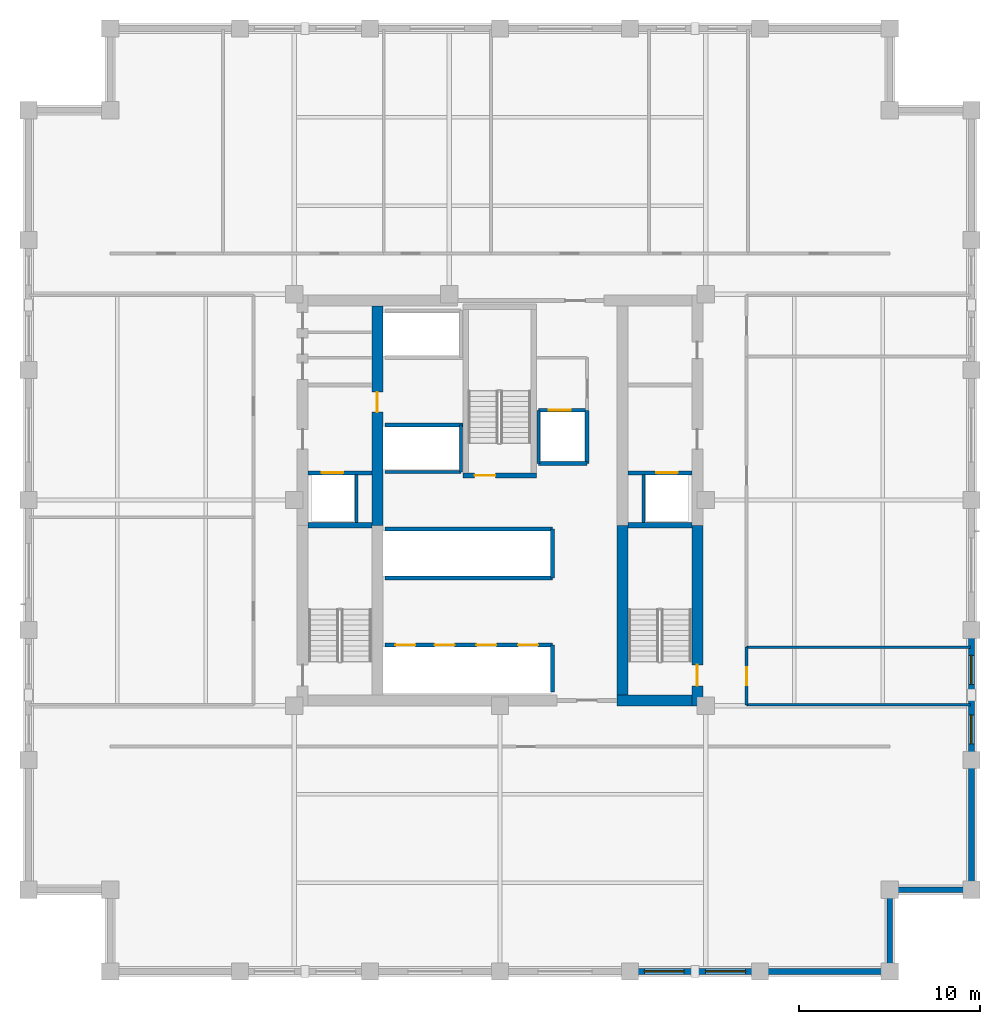
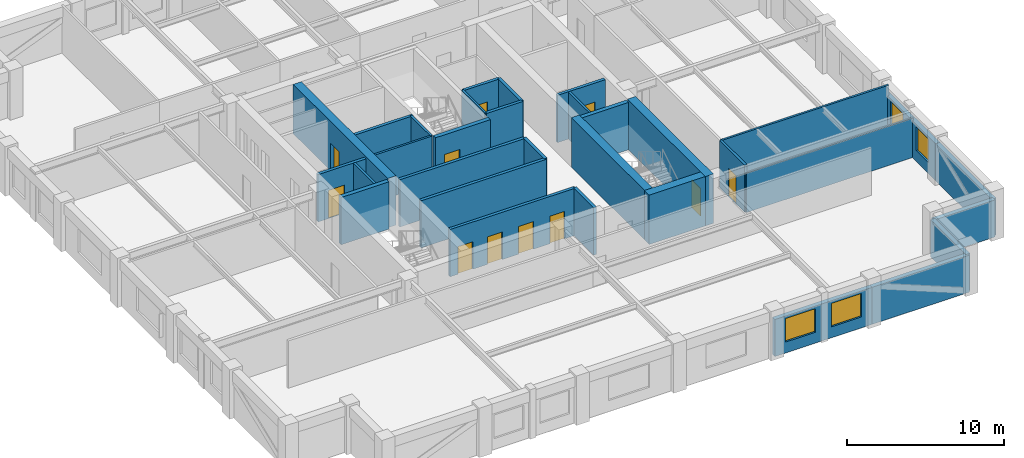
# One storey, part 6 of 9: 32 walls, 11 doors, 4 windows, 15 openings.
"""IFC4 building model written with IfcOpenShell, lengths in metres."""

from ifc_helpers import new_model, si_unit, direction, frame, frame_2d, origin, place, context, subcontext, project, spatial, rectangle, extrude, material, layer, layer_set, type_object, element, fill, save


model = new_model("IFC4")

# Units and contexts
model_context = context("Model", 3, precision=1e-05, world=origin(), true_north=direction((0.0, 1.0)))
body_context = subcontext(model_context, "Body", "Model", "MODEL_VIEW")
ifc_project = project(units=[si_unit("LENGTHUNIT", "METRE"), si_unit("AREAUNIT", "SQUARE_METRE"), si_unit("VOLUMEUNIT", "CUBIC_METRE"), si_unit("PLANEANGLEUNIT", "RADIAN"), si_unit("MASSUNIT", "GRAM", prefix="KILO")], contexts=[model_context])

# Site, building, storey
site_placement = place(None, origin())
site = spatial("IfcSite", under=ifc_project, at=site_placement, CompositionType="ELEMENT")
building_placement = place(site_placement, origin())
building = spatial("IfcBuilding", under=site, at=building_placement, Name="Nhamokura Convention Tower", CompositionType="ELEMENT")
storey_placement = place(building_placement, frame((0.0, 0.0, 118.300048828125)))
storey = spatial("IfcBuildingStorey", under=building, at=storey_placement, Name="L28", CompositionType="ELEMENT", Elevation=118.300048828125)

# Wall, openings, windows
ifc_material_1 = material(Name="Bronze-pigmented precast concrete C45/55", Category="concrete")
ifc_layer_1 = layer(ifc_material_1, 0.320068359375)
ifc_layer_set_1 = layer_set([ifc_layer_1], Name="BronzePrecastSpandrel_320")
wall_type_1 = type_object("IfcWallType", Name="BronzePrecastSpandrel_320", PredefinedType="USERDEFINED", material=ifc_layer_set_1)
wall_1_placement = place(storey_placement, frame((46.333251953125, 6.0, 0.0), z_axis=(0.0, 0.0, 1.0), x_axis=(-1.0, 0.0, 0.0)))
wall_1 = element("IfcWall", 1, at=wall_1_placement, inside=storey, type_object=wall_type_1, Name="L28 Masonry-Frame Wall SOUTH 4", ObjectType="SPANDREL_WALL", PredefinedType="USERDEFINED", context=body_context, shape_type="SweptSolid", body=[
    extrude(rectangle(XDim=7.16650390625, YDim=0.320068359375, at=frame_2d((3.583251953125, 0.0))), origin(), (0.0, 0.0, 1.0), 2.885009765625),
])
opening_1_placement = place(wall_1_placement, frame((0.791748046875, 0.0, 0.85009765625)))
opening_1 = element("IfcOpeningElement", 2, at=opening_1_placement, cuts=wall_1, Name="Opening W-06", PredefinedType="OPENING", context=body_context, shape_type="SweptSolid", body=[
    extrude(rectangle(XDim=2.199951171875, YDim=1.8349609375, at=frame_2d((1.10009765625, 0.91748046875))), frame((0.0, 0.169921875, 0.0), z_axis=(0.0, -1.0, 0.0), x_axis=(1.0, 0.0, 0.0)), (0.0, 0.0, 1.0), 0.340087890625),
])
opening_2_placement = place(wall_1_placement, frame((4.175048828125, 0.0, 0.85009765625)))
opening_2 = element("IfcOpeningElement", 3, at=opening_2_placement, cuts=wall_1, Name="Opening W-06", PredefinedType="OPENING", context=body_context, shape_type="SweptSolid", body=[
    extrude(rectangle(XDim=2.199951171875, YDim=1.8349609375, at=frame_2d((1.10009765625, 0.91748046875))), frame((0.0, 0.169921875, 0.0), z_axis=(0.0, -1.0, 0.0), x_axis=(1.0, 0.0, 0.0)), (0.0, 0.0, 1.0), 0.340087890625),
])
ifc_material_2 = material(Name="Solar-control bronze low-E double glass", Category="glass")
window_type_1 = type_object("IfcWindowType", Name="OfficeModuleWindow_Z2_2200", PartitioningType="SINGLE_PANEL", PredefinedType="WINDOW", material=ifc_material_2)
window_1_placement = place(opening_1_placement, origin())
window_1 = element("IfcWindow", 4, at=window_1_placement, inside=storey, type_object=window_type_1, Name="L28 Facade Window SOUTH 4-1", OverallHeight=1.8349609375, OverallWidth=2.199951171875, PartitioningType="SINGLE_PANEL", PredefinedType="WINDOW", context=body_context, shape_type="SweptSolid", body=[
    extrude(rectangle(XDim=2.199951171875, YDim=1.8349609375, at=frame_2d((1.10009765625, 0.91748046875))), frame((0.0, 0.030029296875, 0.0), z_axis=(0.0, -1.0, 0.0), x_axis=(1.0, 0.0, 0.0)), (0.0, 0.0, 1.0), 0.06005859375),
])
fill(opening_1, window_1)
window_2_placement = place(opening_2_placement, origin())
window_2 = element("IfcWindow", 5, at=window_2_placement, inside=storey, type_object=window_type_1, Name="L28 Facade Window SOUTH 4-2", OverallHeight=1.8349609375, OverallWidth=2.199951171875, PartitioningType="SINGLE_PANEL", PredefinedType="WINDOW", context=body_context, shape_type="SweptSolid", body=[
    extrude(rectangle(XDim=2.199951171875, YDim=1.8349609375, at=frame_2d((1.10009765625, 0.91748046875))), frame((0.0, 0.030029296875, 0.0), z_axis=(0.0, -1.0, 0.0), x_axis=(1.0, 0.0, 0.0)), (0.0, 0.0, 1.0), 0.06005859375),
])
fill(opening_2, window_2)

# Walls
for number, where, z_axis, x_axis, name in (
    (6, (53.5, 6.0, 0.0), (0.0, 0.0, 1.0), (-1.0, 0.0, 0.0), "L28 Braced-Bay Precast Wall SOUTH 5"),
    (7, (58.0, 17.666748046875, 0.0), (0.0, 0.0, 1.0), (0.0, -1.0, 0.0), "L28 Braced-Bay Precast Wall EAST 0"),
):
    element("IfcWall", number, at=place(storey_placement, frame(where, z_axis=z_axis, x_axis=x_axis)), inside=storey, type_object=wall_type_1, Name=name, ObjectType="SPANDREL_WALL", PredefinedType="USERDEFINED", context=body_context, shape_type="SweptSolid", body=[
        extrude(rectangle(XDim=7.166748046875, YDim=0.320068359375, at=frame_2d((3.58349609375, 0.0))), origin(), (0.0, 0.0, 1.0), 2.885009765625),
    ])

# Wall, openings, windows
wall_2_placement = place(storey_placement, frame((58.0, 24.833251953125, 0.0), z_axis=(0.0, 0.0, 1.0), x_axis=(0.0, -1.0, 0.0)))
wall_2 = element("IfcWall", 8, at=wall_2_placement, inside=storey, type_object=wall_type_1, Name="L28 Masonry-Frame Wall EAST 1", ObjectType="SPANDREL_WALL", PredefinedType="USERDEFINED", context=body_context, shape_type="SweptSolid", body=[
    extrude(rectangle(XDim=7.16650390625, YDim=0.320068359375, at=frame_2d((3.583251953125, 0.0))), origin(), (0.0, 0.0, 1.0), 2.885009765625),
])
opening_3_placement = place(wall_2_placement, frame((1.404296875, 0.0, 0.85009765625)))
opening_3 = element("IfcOpeningElement", 9, at=opening_3_placement, cuts=wall_2, Name="Opening W-11", PredefinedType="OPENING", context=body_context, shape_type="SweptSolid", body=[
    extrude(rectangle(XDim=1.60009765625, YDim=1.8349609375, at=frame_2d((0.800048828125, 0.91748046875))), frame((0.0, 0.169921875, 0.0), z_axis=(0.0, -1.0, 0.0), x_axis=(1.0, 0.0, 0.0)), (0.0, 0.0, 1.0), 0.340087890625),
])
opening_4_placement = place(wall_2_placement, frame((4.6875, 0.0, 0.85009765625)))
opening_4 = element("IfcOpeningElement", 10, at=opening_4_placement, cuts=wall_2, Name="Opening W-11", PredefinedType="OPENING", context=body_context, shape_type="SweptSolid", body=[
    extrude(rectangle(XDim=1.60009765625, YDim=1.8349609375, at=frame_2d((0.800048828125, 0.91748046875))), frame((0.0, 0.169921875, 0.0), z_axis=(0.0, -1.0, 0.0), x_axis=(1.0, 0.0, 0.0)), (0.0, 0.0, 1.0), 0.340087890625),
])
ifc_material_3 = material(Name="Solar-control bronze low-E double glass", Category="glass")
window_type_2 = type_object("IfcWindowType", Name="NotchCornerWindow_1600", PartitioningType="SINGLE_PANEL", PredefinedType="WINDOW", material=ifc_material_3)
window_3_placement = place(opening_3_placement, origin())
window_3 = element("IfcWindow", 11, at=window_3_placement, inside=storey, type_object=window_type_2, Name="L28 Facade Window EAST 1-1", OverallHeight=1.8349609375, OverallWidth=1.60009765625, PartitioningType="SINGLE_PANEL", PredefinedType="WINDOW", context=body_context, shape_type="SweptSolid", body=[
    extrude(rectangle(XDim=1.60009765625, YDim=1.8349609375, at=frame_2d((0.800048828125, 0.91748046875))), frame((0.0, 0.030029296875, 0.0), z_axis=(0.0, -1.0, 0.0), x_axis=(1.0, 0.0, 0.0)), (0.0, 0.0, 1.0), 0.06005859375),
])
fill(opening_3, window_3)
window_4_placement = place(opening_4_placement, origin())
window_4 = element("IfcWindow", 12, at=window_4_placement, inside=storey, type_object=window_type_2, Name="L28 Facade Window EAST 1-2", OverallHeight=1.8349609375, OverallWidth=1.60009765625, PartitioningType="SINGLE_PANEL", PredefinedType="WINDOW", context=body_context, shape_type="SweptSolid", body=[
    extrude(rectangle(XDim=1.60009765625, YDim=1.8349609375, at=frame_2d((0.800048828125, 0.91748046875))), frame((0.0, 0.030029296875, 0.0), z_axis=(0.0, -1.0, 0.0), x_axis=(1.0, 0.0, 0.0)), (0.0, 0.0, 1.0), 0.06005859375),
])
fill(opening_4, window_4)

# Walls
for number, where, z_axis, x_axis, name in (
    (13, (53.5, 10.5, 0.0), (0.0, 0.0, 1.0), (0.0, -1.0, 0.0), "L28 Notched Corner Wall SE1"),
    (14, (58.0, 10.5, 0.0), (0.0, 0.0, 1.0), (-1.0, 0.0, 0.0), "L28 Notched Corner Wall SE2"),
):
    element("IfcWall", number, at=place(storey_placement, frame(where, z_axis=z_axis, x_axis=x_axis)), inside=storey, type_object=wall_type_1, Name=name, ObjectType="SPANDREL_WALL", PredefinedType="USERDEFINED", context=body_context, shape_type="SweptSolid", body=[
        extrude(rectangle(XDim=4.5, YDim=0.320068359375, at=frame_2d((2.25, 0.0))), origin(), (0.0, 0.0, 1.0), 2.885009765625),
    ])

# Wall, opening, door
ifc_material_4 = material(Name="Concrete C60/75", Category="concrete")
ifc_layer_2 = layer(ifc_material_4, 0.60009765625)
ifc_layer_set_2 = layer_set([ifc_layer_2], Name="CoreShearWall_600")
wall_type_2 = type_object("IfcWallType", Name="CoreShearWall_600", PredefinedType="SHEAR", material=ifc_layer_set_2)
wall_3_placement = place(storey_placement, frame((42.889892578125, 20.64990234375, 0.0), z_axis=(0.0, 0.0, 1.0), x_axis=(0.0, 1.0, 0.0)))
wall_3 = element("IfcWall", 15, at=wall_3_placement, inside=storey, type_object=wall_type_2, Name="L28 Core Shear Wall CW-ES", PredefinedType="SHEAR", context=body_context, shape_type="SweptSolid", body=[
    extrude(rectangle(XDim=9.9501953125, YDim=0.60009765625, at=frame_2d((4.97509765625, 0.0))), origin(), (0.0, 0.0, 1.0), 3.849853515625),
])
opening_5_placement = place(wall_3_placement, frame((1.10009765625, 0.0, 0.0)))
opening_5 = element("IfcOpeningElement", 16, at=opening_5_placement, cuts=wall_3, Name="Opening D-04", PredefinedType="OPENING", context=body_context, shape_type="SweptSolid", body=[
    extrude(rectangle(XDim=1.14990234375, YDim=2.14990234375, at=frame_2d((0.574951171875, 1.074951171875))), frame((0.0, 0.31005859375, 0.0), z_axis=(0.0, -1.0, 0.0), x_axis=(1.0, 0.0, 0.0)), (0.0, 0.0, 1.0), 0.6201171875),
])
ifc_material_5 = material(Name="Fire-rated steel door", Category="steel")
door_type_1 = type_object("IfcDoorType", Name="StairSmokeDoor_1150", OperationType="NOTDEFINED", PredefinedType="DOOR", material=ifc_material_5)
door_1_placement = place(opening_5_placement, origin())
door_1 = element("IfcDoor", 17, at=door_1_placement, inside=storey, type_object=door_type_1, Name="L28 Core Door INT-L28-D-ST02", OperationType="SINGLE_SWING_RIGHT", OverallHeight=2.14990234375, OverallWidth=1.14990234375, PredefinedType="DOOR", context=body_context, shape_type="SweptSolid", body=[
    extrude(rectangle(XDim=1.14990234375, YDim=2.14990234375, at=frame_2d((0.574951171875, 1.074951171875))), frame((0.0, 0.02490234375, 0.0), z_axis=(0.0, -1.0, 0.0), x_axis=(1.0, 0.0, 0.0)), (0.0, 0.0, 1.0), 0.050048828125),
])
fill(opening_5, door_1)

# Wall
wall_4_placement = place(storey_placement, frame((38.449951171875, 20.949951171875, 0.0), z_axis=(0.0, 0.0, 1.0), x_axis=(1.0, 0.0, 0.0)))
element("IfcWall", 18, at=wall_4_placement, inside=storey, type_object=wall_type_2, Name="L28 Core Shear Wall CW-S2", PredefinedType="SHEAR", context=body_context, shape_type="SweptSolid", body=[
    extrude(rectangle(XDim=4.14013671875, YDim=0.60009765625, at=frame_2d((2.070068359375, 0.0))), origin(), (0.0, 0.0, 1.0), 3.849853515625),
])

# Wall, opening, door
wall_5_placement = place(storey_placement, frame((25.239990234375, 30.60009765625, 0.0), z_axis=(0.0, 0.0, 1.0), x_axis=(0.0, 1.0, 0.0)))
wall_5 = element("IfcWall", 19, at=wall_5_placement, inside=storey, type_object=wall_type_2, Name="L28 Core Shear Wall CW-IWN", PredefinedType="SHEAR", context=body_context, shape_type="SweptSolid", body=[
    extrude(rectangle(XDim=12.099853515625, YDim=0.60009765625, at=frame_2d((6.0498046875, 0.0))), origin(), (0.0, 0.0, 1.0), 3.849853515625),
])
opening_6_placement = place(wall_5_placement, frame((6.25, 0.0, 0.0)))
opening_6 = element("IfcOpeningElement", 20, at=opening_6_placement, cuts=wall_5, Name="Opening D-05", PredefinedType="OPENING", context=body_context, shape_type="SweptSolid", body=[
    extrude(rectangle(XDim=1.10009765625, YDim=2.14990234375, at=frame_2d((0.550048828125, 1.074951171875))), frame((0.0, 0.31005859375, 0.0), z_axis=(0.0, -1.0, 0.0), x_axis=(1.0, 0.0, 0.0)), (0.0, 0.0, 1.0), 0.6201171875),
])
ifc_material_6 = material(Name="Fire-rated steel door", Category="steel")
door_type_2 = type_object("IfcDoorType", Name="FireLobbyDoor_1100", OperationType="NOTDEFINED", PredefinedType="DOOR", material=ifc_material_6)
door_2_placement = place(opening_6_placement, origin())
door_2 = element("IfcDoor", 21, at=door_2_placement, inside=storey, type_object=door_type_2, Name="L28 Core Door INT-L28-D-B3LOB", OperationType="SINGLE_SWING_LEFT", OverallHeight=2.14990234375, OverallWidth=1.10009765625, PredefinedType="DOOR", context=body_context, shape_type="SweptSolid", body=[
    extrude(rectangle(XDim=1.10009765625, YDim=2.14990234375, at=frame_2d((0.550048828125, 1.074951171875))), frame((0.0, 0.02490234375, 0.0), z_axis=(0.0, -1.0, 0.0), x_axis=(1.0, 0.0, 0.0)), (0.0, 0.0, 1.0), 0.050048828125),
])
fill(opening_6, door_2)

# Wall
wall_6_placement = place(storey_placement, frame((38.760009765625, 21.25, 0.0), z_axis=(0.0, 0.0, 1.0), x_axis=(0.0, 1.0, 0.0)))
element("IfcWall", 22, at=wall_6_placement, inside=storey, type_object=wall_type_2, Name="L28 Core Shear Wall CW-IES", PredefinedType="SHEAR", context=body_context, shape_type="SweptSolid", body=[
    extrude(rectangle(XDim=9.35009765625, YDim=0.60009765625, at=frame_2d((4.675048828125, 0.0))), origin(), (0.0, 0.0, 1.0), 3.849853515625),
])

# Wall, opening, door
ifc_material_7 = material(Name="Fire-rated gypsum and masonry partition", Category="masonry")
ifc_layer_3 = layer(ifc_material_7, 0.179931640625)
ifc_layer_set_3 = layer_set([ifc_layer_3], Name="CorridorRatedWall_180")
wall_type_3 = type_object("IfcWallType", Name="CorridorRatedWall_180", PredefinedType="STANDARD", material=ifc_layer_set_3)
wall_7_placement = place(storey_placement, frame((45.60009765625, 20.699951171875, 0.0), z_axis=(0.0, 0.0, 1.0), x_axis=(0.0, 1.0, 0.0)))
wall_7 = element("IfcWall", 23, at=wall_7_placement, inside=storey, type_object=wall_type_3, Name="L28 Wall INT-L28-CW-E00", PredefinedType="STANDARD", context=body_context, shape_type="SweptSolid", body=[
    extrude(rectangle(XDim=3.183349609375, YDim=0.179931640625, at=frame_2d((1.591796875, 0.0))), origin(), (0.0, 0.0, 1.0), 3.68505859375),
])
opening_7_placement = place(wall_7_placement, frame((1.091552734375, 0.0, 0.0)))
opening_7 = element("IfcOpeningElement", 24, at=opening_7_placement, cuts=wall_7, Name="Opening D-08", PredefinedType="OPENING", context=body_context, shape_type="SweptSolid", body=[
    extrude(rectangle(XDim=0.97998046875, YDim=2.199951171875, at=frame_2d((0.489990234375, 1.10009765625))), frame((0.0, 0.099853515625, 0.0), z_axis=(0.0, -1.0, 0.0), x_axis=(1.0, 0.0, 0.0)), (0.0, 0.0, 1.0), 0.199951171875),
])
ifc_material_8 = material(Name="Solid oak hardwood", Category="wood")
door_type_3 = type_object("IfcDoorType", Name="OfficeEntryDoor_980", OperationType="NOTDEFINED", PredefinedType="DOOR", material=ifc_material_8)
door_3_placement = place(opening_7_placement, origin())
door_3 = element("IfcDoor", 25, at=door_3_placement, inside=storey, type_object=door_type_3, Name="L28 Archive Store E01 Door", OperationType="SINGLE_SWING_LEFT", OverallHeight=2.199951171875, OverallWidth=0.97998046875, PredefinedType="DOOR", context=body_context, shape_type="SweptSolid", body=[
    extrude(rectangle(XDim=0.97998046875, YDim=2.199951171875, at=frame_2d((0.489990234375, 1.10009765625))), frame((0.0, 0.02490234375, 0.0), z_axis=(0.0, -1.0, 0.0), x_axis=(1.0, 0.0, 0.0)), (0.0, 0.0, 1.0), 0.050048828125),
])
fill(opening_7, door_3)

ifc_material_9 = material(Name="Autoclaved concrete blockwork", Category="masonry")
ifc_layer_4 = layer(ifc_material_9, 0.219970703125)
ifc_layer_set_4 = layer_set([ifc_layer_4], Name="FireLobbyWall_220")
wall_type_4 = type_object("IfcWallType", Name="FireLobbyWall_220", PredefinedType="STANDARD", material=ifc_layer_set_4)
wall_8_placement = place(storey_placement, frame((21.409912109375, 33.5, 0.0), z_axis=(0.0, 0.0, 1.0), x_axis=(1.0, 0.0, 0.0)))
wall_8 = element("IfcWall", 26, at=wall_8_placement, inside=storey, type_object=wall_type_4, Name="L28 Wall INT-L28-FFW-S", PredefinedType="STANDARD", context=body_context, shape_type="SweptSolid", body=[
    extrude(rectangle(XDim=3.530029296875, YDim=0.219970703125, at=frame_2d((1.76513671875, 0.0))), origin(), (0.0, 0.0, 1.0), 3.68505859375),
])
opening_8_placement = place(wall_8_placement, frame((0.75, 0.0, 0.0)))
opening_8 = element("IfcOpeningElement", 27, at=opening_8_placement, cuts=wall_8, Name="Opening LD-02", PredefinedType="OPENING", context=body_context, shape_type="SweptSolid", body=[
    extrude(rectangle(XDim=1.199951171875, YDim=2.199951171875, at=frame_2d((0.60009765625, 1.10009765625))), frame((0.0, 0.119873046875, 0.0), z_axis=(0.0, -1.0, 0.0), x_axis=(1.0, 0.0, 0.0)), (0.0, 0.0, 1.0), 0.239990234375),
])
ifc_material_10 = material(Name="Anodised bronze stainless steel", Category="steel")
door_type_4 = type_object("IfcDoorType", Name="LiftLandingDoor_FireService", OperationType="DOUBLE_DOOR_SLIDING", PredefinedType="DOOR", material=ifc_material_10)
door_4_placement = place(opening_8_placement, origin())
door_4 = element("IfcDoor", 28, at=door_4_placement, inside=storey, type_object=door_type_4, Name="L28 Firefighting Lift LF-01 Door", OperationType="DOUBLE_DOOR_SLIDING", OverallHeight=2.199951171875, OverallWidth=1.199951171875, PredefinedType="DOOR", context=body_context, shape_type="SweptSolid", body=[
    extrude(rectangle(XDim=1.199951171875, YDim=2.199951171875, at=frame_2d((0.60009765625, 1.10009765625))), frame((0.0, 0.02490234375, 0.0), z_axis=(0.0, -1.0, 0.0), x_axis=(1.0, 0.0, 0.0)), (0.0, 0.0, 1.0), 0.050048828125),
])
fill(opening_8, door_4)

wall_9_placement = place(storey_placement, frame((39.06005859375, 33.5, 0.0), z_axis=(0.0, 0.0, 1.0), x_axis=(1.0, 0.0, 0.0)))
wall_9 = element("IfcWall", 29, at=wall_9_placement, inside=storey, type_object=wall_type_4, Name="L28 Wall INT-L28-FFE-S", PredefinedType="STANDARD", context=body_context, shape_type="SweptSolid", body=[
    extrude(rectangle(XDim=3.530029296875, YDim=0.219970703125, at=frame_2d((1.76513671875, 0.0))), origin(), (0.0, 0.0, 1.0), 3.68505859375),
])
opening_9_placement = place(wall_9_placement, frame((1.550048828125, 0.0, 0.0)))
opening_9 = element("IfcOpeningElement", 30, at=opening_9_placement, cuts=wall_9, Name="Opening LD-02", PredefinedType="OPENING", context=body_context, shape_type="SweptSolid", body=[
    extrude(rectangle(XDim=1.199951171875, YDim=2.199951171875, at=frame_2d((0.60009765625, 1.10009765625))), frame((0.0, 0.119873046875, 0.0), z_axis=(0.0, -1.0, 0.0), x_axis=(1.0, 0.0, 0.0)), (0.0, 0.0, 1.0), 0.239990234375),
])
door_5_placement = place(opening_9_placement, origin())
door_5 = element("IfcDoor", 31, at=door_5_placement, inside=storey, type_object=door_type_4, Name="L28 Firefighting Lift LF-02 Door", OperationType="DOUBLE_DOOR_SLIDING", OverallHeight=2.199951171875, OverallWidth=1.199951171875, PredefinedType="DOOR", context=body_context, shape_type="SweptSolid", body=[
    extrude(rectangle(XDim=1.199951171875, YDim=2.199951171875, at=frame_2d((0.60009765625, 1.10009765625))), frame((0.0, 0.02490234375, 0.0), z_axis=(0.0, -1.0, 0.0), x_axis=(1.0, 0.0, 0.0)), (0.0, 0.0, 1.0), 0.050048828125),
])
fill(opening_9, door_5)

# Wall, openings, doors
wall_10_placement = place(storey_placement, frame((25.64990234375, 24.0, 0.0), z_axis=(0.0, 0.0, 1.0), x_axis=(1.0, 0.0, 0.0)))
wall_10 = element("IfcWall", 32, at=wall_10_placement, inside=storey, type_object=wall_type_4, Name="L28 Wall INT-L28-B1N", PredefinedType="STANDARD", context=body_context, shape_type="SweptSolid", body=[
    extrude(rectangle(XDim=9.25, YDim=0.219970703125, at=frame_2d((4.625, 0.0))), origin(), (0.0, 0.0, 1.0), 3.68505859375),
])
opening_10_placement = place(wall_10_placement, frame((0.580078125, 0.0, 0.0)))
opening_10 = element("IfcOpeningElement", 33, at=opening_10_placement, cuts=wall_10, Name="Opening LD-01", PredefinedType="OPENING", context=body_context, shape_type="SweptSolid", body=[
    extrude(rectangle(XDim=1.10009765625, YDim=2.14990234375, at=frame_2d((0.550048828125, 1.074951171875))), frame((0.0, 0.119873046875, 0.0), z_axis=(0.0, -1.0, 0.0), x_axis=(1.0, 0.0, 0.0)), (0.0, 0.0, 1.0), 0.239990234375),
])
opening_11_placement = place(wall_10_placement, frame((2.75, 0.0, 0.0)))
opening_11 = element("IfcOpeningElement", 34, at=opening_11_placement, cuts=wall_10, Name="Opening LD-01", PredefinedType="OPENING", context=body_context, shape_type="SweptSolid", body=[
    extrude(rectangle(XDim=1.10009765625, YDim=2.14990234375, at=frame_2d((0.550048828125, 1.074951171875))), frame((0.0, 0.119873046875, 0.0), z_axis=(0.0, -1.0, 0.0), x_axis=(1.0, 0.0, 0.0)), (0.0, 0.0, 1.0), 0.239990234375),
])
opening_12_placement = place(wall_10_placement, frame((5.050048828125, 0.0, 0.0)))
opening_12 = element("IfcOpeningElement", 35, at=opening_12_placement, cuts=wall_10, Name="Opening LD-01", PredefinedType="OPENING", context=body_context, shape_type="SweptSolid", body=[
    extrude(rectangle(XDim=1.10009765625, YDim=2.14990234375, at=frame_2d((0.550048828125, 1.074951171875))), frame((0.0, 0.119873046875, 0.0), z_axis=(0.0, -1.0, 0.0), x_axis=(1.0, 0.0, 0.0)), (0.0, 0.0, 1.0), 0.239990234375),
])
opening_13_placement = place(wall_10_placement, frame((7.35009765625, 0.0, 0.0)))
opening_13 = element("IfcOpeningElement", 36, at=opening_13_placement, cuts=wall_10, Name="Opening LD-01", PredefinedType="OPENING", context=body_context, shape_type="SweptSolid", body=[
    extrude(rectangle(XDim=1.10009765625, YDim=2.14990234375, at=frame_2d((0.550048828125, 1.074951171875))), frame((0.0, 0.119873046875, 0.0), z_axis=(0.0, -1.0, 0.0), x_axis=(1.0, 0.0, 0.0)), (0.0, 0.0, 1.0), 0.239990234375),
])
ifc_material_11 = material(Name="Anodised bronze stainless steel", Category="steel")
door_type_5 = type_object("IfcDoorType", Name="LiftLandingDoor_Passenger", OperationType="DOUBLE_DOOR_SLIDING", PredefinedType="DOOR", material=ifc_material_11)
door_6_placement = place(opening_10_placement, origin())
door_6 = element("IfcDoor", 37, at=door_6_placement, inside=storey, type_object=door_type_5, Name="L28 Lift LP-01 Landing Door", OperationType="DOUBLE_DOOR_SLIDING", OverallHeight=2.14990234375, OverallWidth=1.10009765625, PredefinedType="DOOR", context=body_context, shape_type="SweptSolid", body=[
    extrude(rectangle(XDim=1.10009765625, YDim=2.14990234375, at=frame_2d((0.550048828125, 1.074951171875))), frame((0.0, 0.02490234375, 0.0), z_axis=(0.0, -1.0, 0.0), x_axis=(1.0, 0.0, 0.0)), (0.0, 0.0, 1.0), 0.050048828125),
])
fill(opening_10, door_6)
door_7_placement = place(opening_11_placement, origin())
door_7 = element("IfcDoor", 38, at=door_7_placement, inside=storey, type_object=door_type_5, Name="L28 Lift LP-02 Landing Door", OperationType="DOUBLE_DOOR_SLIDING", OverallHeight=2.14990234375, OverallWidth=1.10009765625, PredefinedType="DOOR", context=body_context, shape_type="SweptSolid", body=[
    extrude(rectangle(XDim=1.10009765625, YDim=2.14990234375, at=frame_2d((0.550048828125, 1.074951171875))), frame((0.0, 0.02490234375, 0.0), z_axis=(0.0, -1.0, 0.0), x_axis=(1.0, 0.0, 0.0)), (0.0, 0.0, 1.0), 0.050048828125),
])
fill(opening_11, door_7)
door_8_placement = place(opening_12_placement, origin())
door_8 = element("IfcDoor", 39, at=door_8_placement, inside=storey, type_object=door_type_5, Name="L28 Lift LP-03 Landing Door", OperationType="DOUBLE_DOOR_SLIDING", OverallHeight=2.14990234375, OverallWidth=1.10009765625, PredefinedType="DOOR", context=body_context, shape_type="SweptSolid", body=[
    extrude(rectangle(XDim=1.10009765625, YDim=2.14990234375, at=frame_2d((0.550048828125, 1.074951171875))), frame((0.0, 0.02490234375, 0.0), z_axis=(0.0, -1.0, 0.0), x_axis=(1.0, 0.0, 0.0)), (0.0, 0.0, 1.0), 0.050048828125),
])
fill(opening_12, door_8)
door_9_placement = place(opening_13_placement, origin())
door_9 = element("IfcDoor", 40, at=door_9_placement, inside=storey, type_object=door_type_5, Name="L28 Lift LP-04 Landing Door", OperationType="DOUBLE_DOOR_SLIDING", OverallHeight=2.14990234375, OverallWidth=1.10009765625, PredefinedType="DOOR", context=body_context, shape_type="SweptSolid", body=[
    extrude(rectangle(XDim=1.10009765625, YDim=2.14990234375, at=frame_2d((0.550048828125, 1.074951171875))), frame((0.0, 0.02490234375, 0.0), z_axis=(0.0, -1.0, 0.0), x_axis=(1.0, 0.0, 0.0)), (0.0, 0.0, 1.0), 0.050048828125),
])
fill(opening_13, door_9)

# Walls
wall_11_placement = place(storey_placement, frame((34.89990234375, 21.39990234375, 0.0), z_axis=(0.0, 0.0, 1.0), x_axis=(0.0, 1.0, 0.0)))
element("IfcWall", 41, at=wall_11_placement, inside=storey, type_object=wall_type_4, Name="L28 Wall INT-L28-B1E", PredefinedType="STANDARD", context=body_context, shape_type="SweptSolid", body=[
    extrude(rectangle(XDim=2.60009765625, YDim=0.219970703125, at=frame_2d((1.300048828125, 0.0))), origin(), (0.0, 0.0, 1.0), 3.68505859375),
])
for number, where, z_axis, x_axis, name in (
    (42, (25.64990234375, 27.699951171875, 0.0), (0.0, 0.0, 1.0), (1.0, 0.0, 0.0), "L28 Wall INT-L28-B2S"),
    (43, (25.64990234375, 30.39990234375, 0.0), (0.0, 0.0, 1.0), (1.0, 0.0, 0.0), "L28 Wall INT-L28-B2N"),
):
    element("IfcWall", number, at=place(storey_placement, frame(where, z_axis=z_axis, x_axis=x_axis)), inside=storey, type_object=wall_type_4, Name=name, PredefinedType="STANDARD", context=body_context, shape_type="SweptSolid", body=[
        extrude(rectangle(XDim=9.25, YDim=0.219970703125, at=frame_2d((4.625, 0.0))), origin(), (0.0, 0.0, 1.0), 3.68505859375),
    ])
wall_12_placement = place(storey_placement, frame((34.89990234375, 27.699951171875, 0.0), z_axis=(0.0, 0.0, 1.0), x_axis=(0.0, 1.0, 0.0)))
element("IfcWall", 44, at=wall_12_placement, inside=storey, type_object=wall_type_4, Name="L28 Wall INT-L28-B2E", PredefinedType="STANDARD", context=body_context, shape_type="SweptSolid", body=[
    extrude(rectangle(XDim=2.699951171875, YDim=0.219970703125, at=frame_2d((1.35009765625, 0.0))), origin(), (0.0, 0.0, 1.0), 3.68505859375),
])
wall_13_placement = place(storey_placement, frame((25.64990234375, 36.14990234375, 0.0), z_axis=(0.0, 0.0, 1.0), x_axis=(1.0, 0.0, 0.0)))
element("IfcWall", 45, at=wall_13_placement, inside=storey, type_object=wall_type_4, Name="L28 Wall INT-L28-B3S", PredefinedType="STANDARD", context=body_context, shape_type="SweptSolid", body=[
    extrude(rectangle(XDim=4.300048828125, YDim=0.219970703125, at=frame_2d((2.14990234375, 0.0))), origin(), (0.0, 0.0, 1.0), 3.68505859375),
])

# Wall, opening, door
wall_14_placement = place(storey_placement, frame((34.1201171875, 36.949951171875, 0.0), z_axis=(0.0, 0.0, 1.0), x_axis=(1.0, 0.0, 0.0)))
wall_14 = element("IfcWall", 46, at=wall_14_placement, inside=storey, type_object=wall_type_4, Name="L28 Wall INT-L28-LSN", PredefinedType="STANDARD", context=body_context, shape_type="SweptSolid", body=[
    extrude(rectangle(XDim=2.679931640625, YDim=0.219970703125, at=frame_2d((1.33984375, 0.0))), origin(), (0.0, 0.0, 1.0), 3.68505859375),
])
opening_14_placement = place(wall_14_placement, frame((0.580078125, 0.0, 0.0)))
opening_14 = element("IfcOpeningElement", 47, at=opening_14_placement, cuts=wall_14, Name="Opening LD-02", PredefinedType="OPENING", context=body_context, shape_type="SweptSolid", body=[
    extrude(rectangle(XDim=1.199951171875, YDim=2.199951171875, at=frame_2d((0.60009765625, 1.10009765625))), frame((0.0, 0.119873046875, 0.0), z_axis=(0.0, -1.0, 0.0), x_axis=(1.0, 0.0, 0.0)), (0.0, 0.0, 1.0), 0.239990234375),
])
door_10_placement = place(opening_14_placement, origin())
door_10 = element("IfcDoor", 48, at=door_10_placement, inside=storey, type_object=door_type_4, Name="L28 Service Lift LS-01 Door", OperationType="DOUBLE_DOOR_SLIDING", OverallHeight=2.199951171875, OverallWidth=1.199951171875, PredefinedType="DOOR", context=body_context, shape_type="SweptSolid", body=[
    extrude(rectangle(XDim=1.199951171875, YDim=2.199951171875, at=frame_2d((0.60009765625, 1.10009765625))), frame((0.0, 0.02490234375, 0.0), z_axis=(0.0, -1.0, 0.0), x_axis=(1.0, 0.0, 0.0)), (0.0, 0.0, 1.0), 0.050048828125),
])
fill(opening_14, door_10)

# Walls
wall_15_placement = place(storey_placement, frame((36.800048828125, 34.02001953125, 0.0), z_axis=(0.0, 0.0, 1.0), x_axis=(0.0, 1.0, 0.0)))
element("IfcWall", 49, at=wall_15_placement, inside=storey, type_object=wall_type_4, Name="L28 Wall INT-L28-LSE", PredefinedType="STANDARD", context=body_context, shape_type="SweptSolid", body=[
    extrude(rectangle(XDim=2.929931640625, YDim=0.219970703125, at=frame_2d((1.46484375, 0.0))), origin(), (0.0, 0.0, 1.0), 3.68505859375),
])
wall_16_placement = place(storey_placement, frame((34.1201171875, 34.02001953125, 0.0), z_axis=(0.0, 0.0, 1.0), x_axis=(1.0, 0.0, 0.0)))
element("IfcWall", 50, at=wall_16_placement, inside=storey, type_object=wall_type_4, Name="L28 Wall INT-L28-LSS", PredefinedType="STANDARD", context=body_context, shape_type="SweptSolid", body=[
    extrude(rectangle(XDim=2.679931640625, YDim=0.219970703125, at=frame_2d((1.33984375, 0.0))), origin(), (0.0, 0.0, 1.0), 3.68505859375),
])
ifc_material_12 = material(Name="Acoustic gypsum stud partition", Category="masonry")
ifc_layer_5 = layer(ifc_material_12, 0.14990234375)
ifc_layer_set_5 = layer_set([ifc_layer_5], Name="InteriorPartition_150")
wall_type_5 = type_object("IfcWallType", Name="InteriorPartition_150", PredefinedType="STANDARD", material=ifc_layer_set_5)
for number, where, z_axis, x_axis, name in (
    (51, (24.080078125, 30.75, 0.0), (0.0, 0.0, 1.0), (0.0, 1.0, 0.0), "L28 Wall INT-L28-FF1-E"),
    (52, (39.919921875, 30.75, 0.0), (0.0, 0.0, 1.0), (0.0, 1.0, 0.0), "L28 Wall INT-L28-FF2-W"),
):
    element("IfcWall", number, at=place(storey_placement, frame(where, z_axis=z_axis, x_axis=x_axis)), inside=storey, type_object=wall_type_5, Name=name, PredefinedType="STANDARD", context=body_context, shape_type="SweptSolid", body=[
        extrude(rectangle(XDim=2.64990234375, YDim=0.14990234375, at=frame_2d((1.324951171875, 0.0))), origin(), (0.0, 0.0, 1.0), 3.68505859375),
    ])
wall_17_placement = place(storey_placement, frame((25.64990234375, 33.550048828125, 0.0), z_axis=(0.0, 0.0, 1.0), x_axis=(1.0, 0.0, 0.0)))
element("IfcWall", 53, at=wall_17_placement, inside=storey, type_object=wall_type_5, Name="L28 Wall INT-L28-B3A-S", PredefinedType="STANDARD", context=body_context, shape_type="SweptSolid", body=[
    extrude(rectangle(XDim=4.2001953125, YDim=0.14990234375, at=frame_2d((2.10009765625, 0.0))), origin(), (0.0, 0.0, 1.0), 3.68505859375),
])
wall_18_placement = place(storey_placement, frame((29.85009765625, 33.550048828125, 0.0), z_axis=(0.0, 0.0, 1.0), x_axis=(0.0, 1.0, 0.0)))
element("IfcWall", 54, at=wall_18_placement, inside=storey, type_object=wall_type_5, Name="L28 Wall INT-L28-B3A-E", PredefinedType="STANDARD", context=body_context, shape_type="SweptSolid", body=[
    extrude(rectangle(XDim=2.599853515625, YDim=0.14990234375, at=frame_2d((1.2998046875, 0.0))), origin(), (0.0, 0.0, 1.0), 3.68505859375),
])
wall_19_placement = place(storey_placement, frame((34.1201171875, 34.02001953125, 0.0), z_axis=(0.0, 0.0, 1.0), x_axis=(0.0, 1.0, 0.0)))
element("IfcWall", 55, at=wall_19_placement, inside=storey, type_object=wall_type_5, Name="L28 Wall INT-L28-LSW", PredefinedType="STANDARD", context=body_context, shape_type="SweptSolid", body=[
    extrude(rectangle(XDim=2.929931640625, YDim=0.14990234375, at=frame_2d((1.46484375, 0.0))), origin(), (0.0, 0.0, 1.0), 3.68505859375),
])
wall_20_placement = place(storey_placement, frame((45.60009765625, 20.699951171875, 0.0), z_axis=(0.0, 0.0, 1.0), x_axis=(1.0, 0.0, 0.0)))
element("IfcWall", 56, at=wall_20_placement, inside=storey, type_object=wall_type_5, Name="L28 Wall INT-L28-RWB-E", PredefinedType="STANDARD", context=body_context, shape_type="SweptSolid", body=[
    extrude(rectangle(XDim=12.33984375, YDim=0.14990234375, at=frame_2d((6.169921875, 0.0))), origin(), (0.0, 0.0, 1.0), 3.06494140625),
])
wall_21_placement = place(storey_placement, frame((45.60009765625, 23.88330078125, 0.0), z_axis=(0.0, 0.0, 1.0), x_axis=(1.0, 0.0, 0.0)))
element("IfcWall", 57, at=wall_21_placement, inside=storey, type_object=wall_type_5, Name="L28 Wall INT-L28-RW-E01", PredefinedType="STANDARD", context=body_context, shape_type="SweptSolid", body=[
    extrude(rectangle(XDim=12.33984375, YDim=0.14990234375, at=frame_2d((6.169921875, 0.0))), origin(), (0.0, 0.0, 1.0), 3.68505859375),
])
ifc_material_13 = material(Name="Concrete C50/60", Category="concrete")
ifc_layer_6 = layer(ifc_material_13, 0.300048828125)
ifc_layer_set_6 = layer_set([ifc_layer_6], Name="ShaftEnclosureWall_300")
wall_type_6 = type_object("IfcWallType", Name="ShaftEnclosureWall_300", PredefinedType="SHEAR", material=ifc_layer_set_6)
for number, where, z_axis, x_axis, name in (
    (58, (21.409912109375, 30.60009765625, 0.0), (0.0, 0.0, 1.0), (1.0, 0.0, 0.0), "L28 Wall INT-L28-ST01-N"),
    (59, (39.06005859375, 30.60009765625, 0.0), (0.0, 0.0, 1.0), (1.0, 0.0, 0.0), "L28 Wall INT-L28-ST02-N"),
):
    element("IfcWall", number, at=place(storey_placement, frame(where, z_axis=z_axis, x_axis=x_axis)), inside=storey, type_object=wall_type_6, Name=name, PredefinedType="SHEAR", context=body_context, shape_type="SweptSolid", body=[
        extrude(rectangle(XDim=3.530029296875, YDim=0.300048828125, at=frame_2d((1.76513671875, 0.0))), origin(), (0.0, 0.0, 1.0), 3.68505859375),
    ])

# Wall, opening, door
wall_22_placement = place(storey_placement, frame((29.949951171875, 33.35009765625, 0.0), z_axis=(0.0, 0.0, 1.0), x_axis=(1.0, 0.0, 0.0)))
wall_22 = element("IfcWall", 60, at=wall_22_placement, inside=storey, type_object=wall_type_6, Name="L28 Wall INT-L28-ST03S", PredefinedType="SHEAR", context=body_context, shape_type="SweptSolid", body=[
    extrude(rectangle(XDim=4.050048828125, YDim=0.300048828125, at=frame_2d((2.02490234375, 0.0))), origin(), (0.0, 0.0, 1.0), 3.68505859375),
])
opening_15_placement = place(wall_22_placement, frame((0.64990234375, 0.0, 0.0)))
opening_15 = element("IfcOpeningElement", 61, at=opening_15_placement, cuts=wall_22, Name="Opening D-04", PredefinedType="OPENING", context=body_context, shape_type="SweptSolid", body=[
    extrude(rectangle(XDim=1.14990234375, YDim=2.14990234375, at=frame_2d((0.574951171875, 1.074951171875))), frame((0.0, 0.159912109375, 0.0), z_axis=(0.0, -1.0, 0.0), x_axis=(1.0, 0.0, 0.0)), (0.0, 0.0, 1.0), 0.320068359375),
])
door_11_placement = place(opening_15_placement, origin())
door_11 = element("IfcDoor", 62, at=door_11_placement, inside=storey, type_object=door_type_1, Name="L28 Stair ST-03 Smoke Door", OperationType="SINGLE_SWING_LEFT", OverallHeight=2.14990234375, OverallWidth=1.14990234375, PredefinedType="DOOR", context=body_context, shape_type="SweptSolid", body=[
    extrude(rectangle(XDim=1.14990234375, YDim=2.14990234375, at=frame_2d((0.574951171875, 1.074951171875))), frame((0.0, 0.02490234375, 0.0), z_axis=(0.0, -1.0, 0.0), x_axis=(1.0, 0.0, 0.0)), (0.0, 0.0, 1.0), 0.050048828125),
])
fill(opening_15, door_11)

save(model, "model.ifc")
